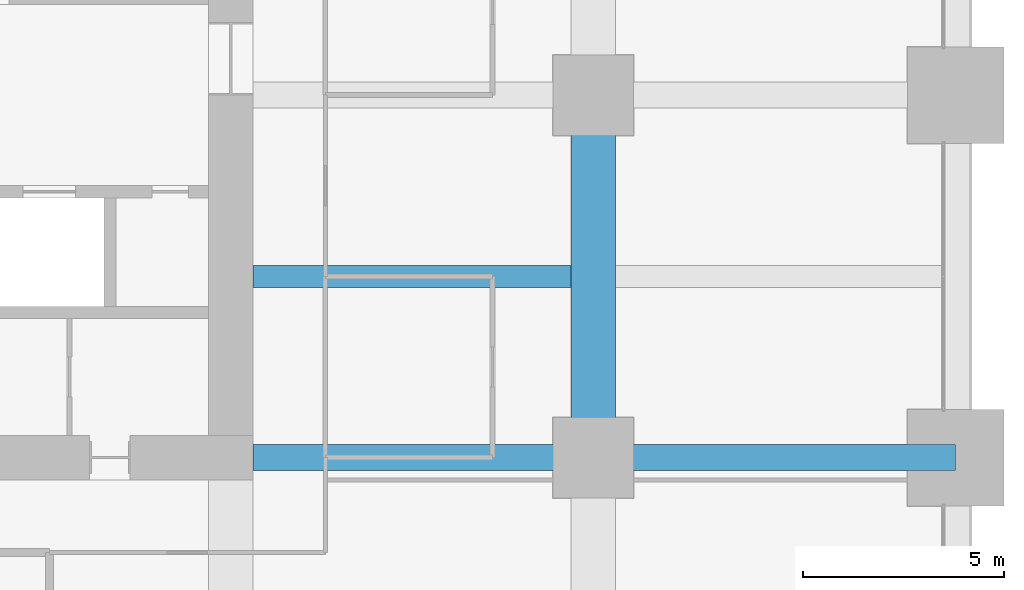
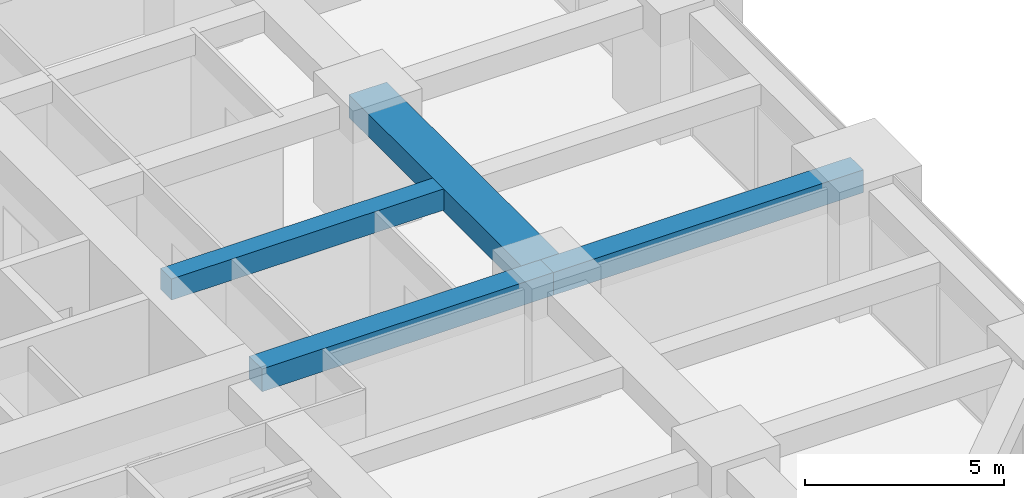
# One storey, part 20 of 41: 4 beams.
"""IFC4 building model written with IfcOpenShell, lengths in metres."""

import ifcopenshell
import ifcopenshell.guid

model = None  # the IFC model being written
_history = None  # IfcOwnerHistory: only IFC2X3 demands one
_inside = {}  # id of a spatial element -> (the spatial element, [elements in it])
_under = {}  # id of a project, library or spatial element -> (it, [spatial elements below it])
_declared = {}  # id of a project -> (the project, [libraries it declares])
_typed = {}  # id of a type object -> (the type object, [elements of that type])
_made_of = {}  # id of a material, layer set ... -> (it, [elements and type objects made of it])


def new_model(schema):
    """Start an empty IFC model of exactly this schema.

    Asked for "IFC4X3", IfcOpenShell would pick the latest addendum, in which some entities
    have other attributes; the version numbers below select the first issue.
    IFC2X3 requires an IfcOwnerHistory on every rooted entity: one is made here for all.
    """
    global model, _history
    if schema == "IFC4X3":
        model = ifcopenshell.file(schema_version=(4, 3, 0, 0))
    else:
        model = ifcopenshell.file(schema=schema)
    _inside.clear()
    _under.clear()
    _declared.clear()
    _typed.clear()
    _made_of.clear()
    _history = None
    if model.schema == "IFC2X3":
        org = make("IfcOrganization", Name="unknown")
        user = make(
            "IfcPersonAndOrganization",
            ThePerson=make("IfcPerson", FamilyName="unknown"),
            TheOrganization=org,
        )
        app = make(
            "IfcApplication",
            ApplicationDeveloper=org,
            Version="unknown",
            ApplicationFullName="unknown",
            ApplicationIdentifier="unknown",
        )
        _history = make(
            "IfcOwnerHistory",
            OwningUser=user,
            OwningApplication=app,
            ChangeAction="ADDED",
            CreationDate=0,
        )
    return model


def make(cls, **values):
    """One entity of the class cls with the attributes given. An attribute that is None is left unset."""
    return model.create_entity(
        cls, **{name: value for name, value in values.items() if value is not None}
    )


def rooted(cls, **values):
    """An entity with a GlobalId (a new one), such as an element, a storey or a relation."""
    return make(cls, GlobalId=ifcopenshell.guid.new(), OwnerHistory=_history, **values)


def si_unit(unit_type, name, prefix=None):
    """IfcSIUnit, for example si_unit("LENGTHUNIT", "METRE", prefix="MILLI")."""
    return make("IfcSIUnit", UnitType=unit_type, Prefix=prefix, Name=name)


def assignment(units):
    """IfcUnitAssignment: the units of a project."""
    return None if units is None else make("IfcUnitAssignment", Units=units)


def point(xyz):
    """IfcCartesianPoint."""
    return None if xyz is None else make("IfcCartesianPoint", Coordinates=xyz)


def direction(xyz):
    """IfcDirection."""
    return None if xyz is None else make("IfcDirection", DirectionRatios=xyz)


def frame(location, z_axis=None, x_axis=None):
    """IfcAxis2Placement3D, a coordinate frame: its origin and axes. An axis left out is left unset."""
    return make(
        "IfcAxis2Placement3D",
        Location=point(location),
        Axis=direction(z_axis),
        RefDirection=direction(x_axis),
    )


def frame_2d(location, x_axis=None):
    """IfcAxis2Placement2D, a coordinate frame in the plane: its origin and x axis."""
    return make(
        "IfcAxis2Placement2D", Location=point(location), RefDirection=direction(x_axis)
    )


def origin():
    """The frame at (0, 0, 0) with its axes left unset."""
    return frame((0.0, 0.0, 0.0))


def origin_2d():
    """The frame at (0, 0) in the plane with its x axis left unset."""
    return frame_2d((0.0, 0.0))


def place(relative_to, where):
    """IfcLocalPlacement: puts the frame where relative to a parent placement (None: the world)."""
    return make(
        "IfcLocalPlacement", PlacementRelTo=relative_to, RelativePlacement=where
    )


def context(
    kind, dimensions, precision=None, world=None, true_north=None, identifier=None
):
    """IfcGeometricRepresentationContext, for example the 3D "Model" context."""
    return make(
        "IfcGeometricRepresentationContext",
        ContextIdentifier=identifier,
        ContextType=kind,
        CoordinateSpaceDimension=dimensions,
        Precision=precision,
        WorldCoordinateSystem=world,
        TrueNorth=true_north,
    )


def subcontext(parent, identifier, kind, view, scale=None):
    """IfcGeometricRepresentationSubContext, for example "Body" below "Model"."""
    return make(
        "IfcGeometricRepresentationSubContext",
        ContextIdentifier=identifier,
        ContextType=kind,
        ParentContext=parent,
        TargetScale=scale,
        TargetView=view,
    )


def project(units=None, contexts=None):
    """IfcProject with its units and contexts."""
    return rooted(
        "IfcProject",
        Name="project",
        RepresentationContexts=contexts,
        UnitsInContext=assignment(units),
    )


def spatial(cls, under=None, at=None, **own):
    """A site, building, storey or space (cls), placed at a placement, below another one or the project."""
    s = rooted(cls, ObjectPlacement=at, **own)
    if under is not None:
        _under.setdefault(under.id(), (under, []))[1].append(s)
    return s


def profile(cls, at=None, kind="AREA", **sizes):
    """A parametric profile (cls). Its sizes go by their IFC names, for example OverallWidth=200.0."""
    return make(cls, ProfileType=kind, Position=at, **sizes)


def rectangle(**sizes):
    """IfcRectangleProfileDef."""
    return profile("IfcRectangleProfileDef", **sizes)


def extrude(swept, where, along, depth):
    """IfcExtrudedAreaSolid: the profile swept, set in the frame where, extruded along a direction by depth."""
    return make(
        "IfcExtrudedAreaSolid",
        SweptArea=swept,
        Position=where,
        ExtrudedDirection=direction(along),
        Depth=depth,
    )


def shape(context_of_items, identifier, shape_type, items):
    """IfcShapeRepresentation: the items that make up one representation, for example the "Body"."""
    return make(
        "IfcShapeRepresentation",
        ContextOfItems=context_of_items,
        RepresentationIdentifier=identifier,
        RepresentationType=shape_type,
        Items=items,
    )


def material(Name=None, Category=None):
    """IfcMaterial."""
    return make("IfcMaterial", Name=Name, Category=Category)


def material_profile(
    of_material, cross_section, Name=None, Category=None, Priority=None
):
    """IfcMaterialProfile: a cross section and its material."""
    return make(
        "IfcMaterialProfile",
        Name=Name,
        Material=of_material,
        Profile=cross_section,
        Priority=Priority,
        Category=Category,
    )


def profile_set(profiles, Name=None, composite=None):
    """IfcMaterialProfileSet."""
    return make(
        "IfcMaterialProfileSet",
        Name=Name,
        MaterialProfiles=profiles,
        CompositeProfile=composite,
    )


def made_of(thing, what):
    """Note that an element or type object is made of a material, layer set ...; save() writes the relation."""
    if what is not None:
        _made_of.setdefault(what.id(), (what, []))[1].append(thing)
    return thing


def type_object(cls, material=None, **own):
    """A type object (cls), such as IfcWallType, which elements share."""
    return made_of(rooted(cls, **own), material)


def element(
    cls,
    number,
    at=None,
    inside=None,
    cuts=None,
    type_object=None,
    material=None,
    context=None,
    identifier="Body",
    shape_type=None,
    held_by="IfcProductDefinitionShape",
    body=None,
    shapes=None,
    **own,
):
    """One element of the class cls, such as IfcWall. Its Tag is "e" and its number.

    at: its placement. inside: the storey or other place that contains it. cuts: it is an
    opening in that element (IfcRelVoidsElement). A single representation is given by context,
    identifier, shape_type and body (its items); several are given by shapes. held_by: the class
    of the entity that holds the representations. save() writes the other relations.
    """
    e = rooted(cls, Tag="e%d" % number, ObjectPlacement=at, **own)
    if body is not None:
        shapes = [shape(context, identifier, shape_type, body)]
    if shapes is not None:
        e.Representation = make(held_by, Representations=shapes)
    if inside is not None:
        _inside.setdefault(inside.id(), (inside, []))[1].append(e)
    if cuts is not None:
        rooted(
            "IfcRelVoidsElement", RelatingBuildingElement=cuts, RelatedOpeningElement=e
        )
    if type_object is not None:
        _typed.setdefault(type_object.id(), (type_object, []))[1].append(e)
    return made_of(e, material)


def aggregate(whole, parts):
    """IfcRelAggregates: a whole, such as a stair, and the parts it consists of."""
    return rooted("IfcRelAggregates", RelatingObject=whole, RelatedObjects=parts)


def save(model, path):
    """Write the relations noted so far, then the file.

    IfcRelAggregates (storeys below a building ...), IfcRelContainedInSpatialStructure (elements
    in a storey), IfcRelDefinesByType, IfcRelAssociatesMaterial and IfcRelDeclares: one each for
    every whole, place, type object, material and project.
    """
    for whole, parts in _under.values():
        aggregate(whole, parts)
    for where, things in _inside.values():
        rooted(
            "IfcRelContainedInSpatialStructure",
            RelatedElements=things,
            RelatingStructure=where,
        )
    for kind, things in _typed.values():
        rooted("IfcRelDefinesByType", RelatedObjects=things, RelatingType=kind)
    for what, things in _made_of.values():
        rooted("IfcRelAssociatesMaterial", RelatedObjects=things, RelatingMaterial=what)
    for by, libraries in _declared.values():
        rooted("IfcRelDeclares", RelatingContext=by, RelatedDefinitions=libraries)
    model.write(path)


model = new_model("IFC4")

# Units and contexts
model_context = context("Model", 3, precision=1e-05, world=origin(), true_north=direction((0.0, 1.0)))
body_context = subcontext(model_context, "Body", "Model", "MODEL_VIEW")
ifc_project = project(units=[si_unit("LENGTHUNIT", "METRE"), si_unit("AREAUNIT", "SQUARE_METRE"), si_unit("VOLUMEUNIT", "CUBIC_METRE"), si_unit("PLANEANGLEUNIT", "RADIAN"), si_unit("MASSUNIT", "GRAM", prefix="KILO")], contexts=[model_context])

# Site, building, storey
site_placement = place(None, origin())
site = spatial("IfcSite", under=ifc_project, at=site_placement, CompositionType="ELEMENT")
building_placement = place(site_placement, origin())
building = spatial("IfcBuilding", under=site, at=building_placement, Name="Zorevar Civic Tower", CompositionType="ELEMENT")
storey_placement = place(building_placement, frame((0.0, 0.0, 105.0)))
storey = spatial("IfcBuildingStorey", under=building, at=storey_placement, Name="L25", CompositionType="ELEMENT", Elevation=105.0)

# Beams
ifc_material_1 = material(Name="Concrete C50/60", Category="concrete")
ifc_material_profile_1 = material_profile(ifc_material_1, rectangle(XDim=1.10009765625, YDim=0.699951171875, at=origin_2d()), Name="RC 1100x700")
ifc_profile_set_1 = profile_set([ifc_material_profile_1], Name="Concrete C50/60")
beam_type_1 = type_object("IfcBeamType", Name="Beam RC 1100x700", PredefinedType="BEAM", material=ifc_profile_set_1)
beam_1_placement = place(storey_placement, frame((54.0, 18.0, 3.39990234375), z_axis=(0.0, 1.0, 0.0), x_axis=(-1.0, 0.0, 0.0)))
element("IfcBeam", 1, at=beam_1_placement, inside=storey, type_object=beam_type_1, Name="Girder L26", PredefinedType="BEAM", context=body_context, shape_type="SweptSolid", body=[
    extrude(rectangle(XDim=1.10009765625, YDim=0.699951171875, at=origin_2d()), origin(), (0.0, 0.0, 1.0), 9.0),
])
ifc_material_2 = material(Name="Concrete C50/60", Category="concrete")
ifc_material_profile_2 = material_profile(ifc_material_2, rectangle(XDim=0.550048828125, YDim=0.64990234375, at=origin_2d()), Name="RC 550x650")
ifc_profile_set_2 = profile_set([ifc_material_profile_2], Name="Concrete C50/60")
beam_type_2 = type_object("IfcBeamType", Name="Beam RC 550x650", PredefinedType="BEAM", material=ifc_profile_set_2)
beam_2_placement = place(storey_placement, frame((45.550048828125, 22.5, 3.425048828125), z_axis=(1.0, 0.0, 0.0), x_axis=(0.0, 1.0, 0.0)))
element("IfcBeam", 2, at=beam_2_placement, inside=storey, type_object=beam_type_2, Name="Secondary beam L26", PredefinedType="BEAM", context=body_context, shape_type="SweptSolid", body=[
    extrude(rectangle(XDim=0.550048828125, YDim=0.64990234375, at=origin_2d()), origin(), (0.0, 0.0, 1.0), 7.89990234375),
])
ifc_material_3 = material(Name="Concrete C50/60", Category="concrete")
ifc_material_profile_3 = material_profile(ifc_material_3, rectangle(XDim=0.64990234375, YDim=0.699951171875, at=origin_2d()), Name="RC 650x700")
ifc_profile_set_3 = profile_set([ifc_material_profile_3], Name="Concrete C50/60")
beam_type_3 = type_object("IfcBeamType", Name="Beam RC 650x700", PredefinedType="BEAM", material=ifc_profile_set_3)
beam_3_placement = place(storey_placement, frame((45.550048828125, 18.0, 3.39990234375), z_axis=(1.0, 0.0, 0.0), x_axis=(0.0, 1.0, 0.0)))
element("IfcBeam", 3, at=beam_3_placement, inside=storey, type_object=beam_type_3, Name="Girder L26", PredefinedType="BEAM", context=body_context, shape_type="SweptSolid", body=[
    extrude(rectangle(XDim=0.64990234375, YDim=0.699951171875, at=origin_2d()), origin(), (0.0, 0.0, 1.0), 8.449951171875),
])
beam_4_placement = place(storey_placement, frame((54.0, 18.0, 3.39990234375), z_axis=(1.0, 0.0, 0.0), x_axis=(0.0, 1.0, 0.0)))
element("IfcBeam", 4, at=beam_4_placement, inside=storey, type_object=beam_type_3, Name="Girder L26", PredefinedType="BEAM", context=body_context, shape_type="SweptSolid", body=[
    extrude(rectangle(XDim=0.64990234375, YDim=0.699951171875, at=origin_2d()), origin(), (0.0, 0.0, 1.0), 9.0),
])

save(model, "model.ifc")
